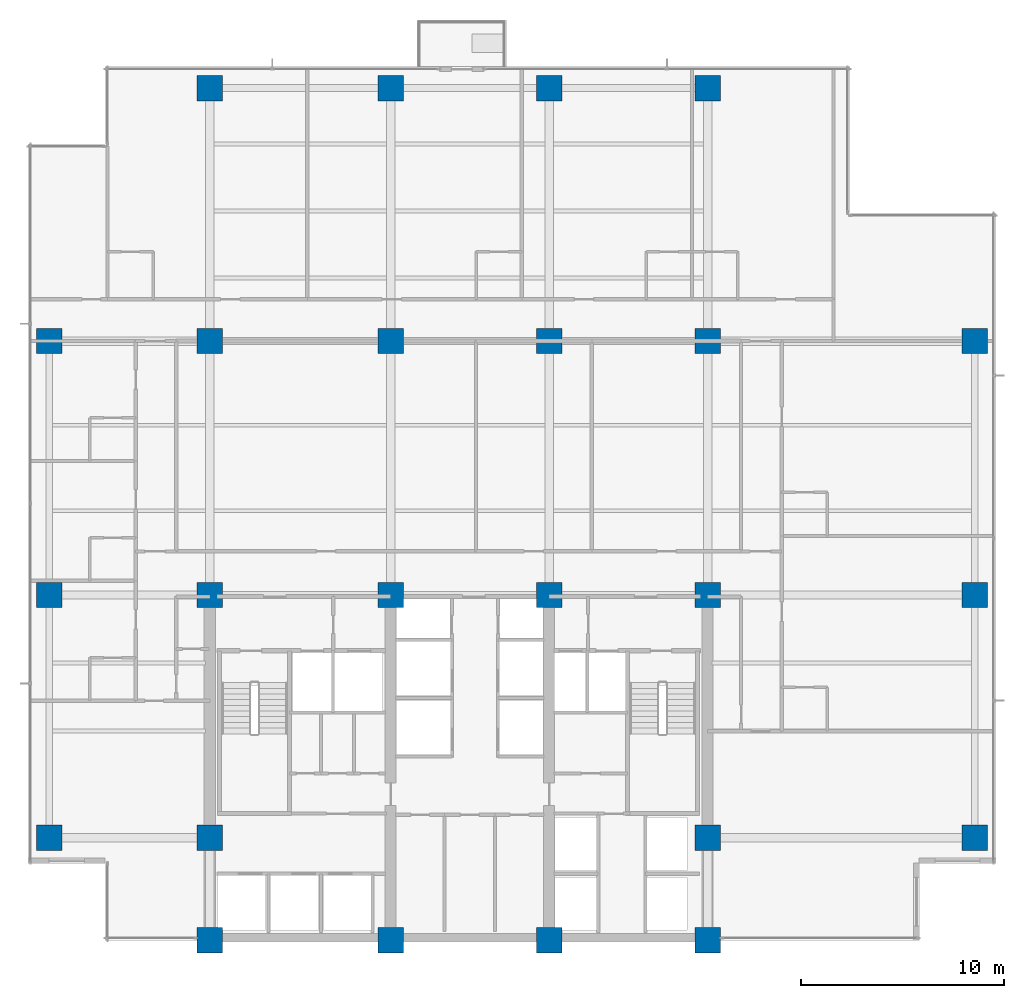
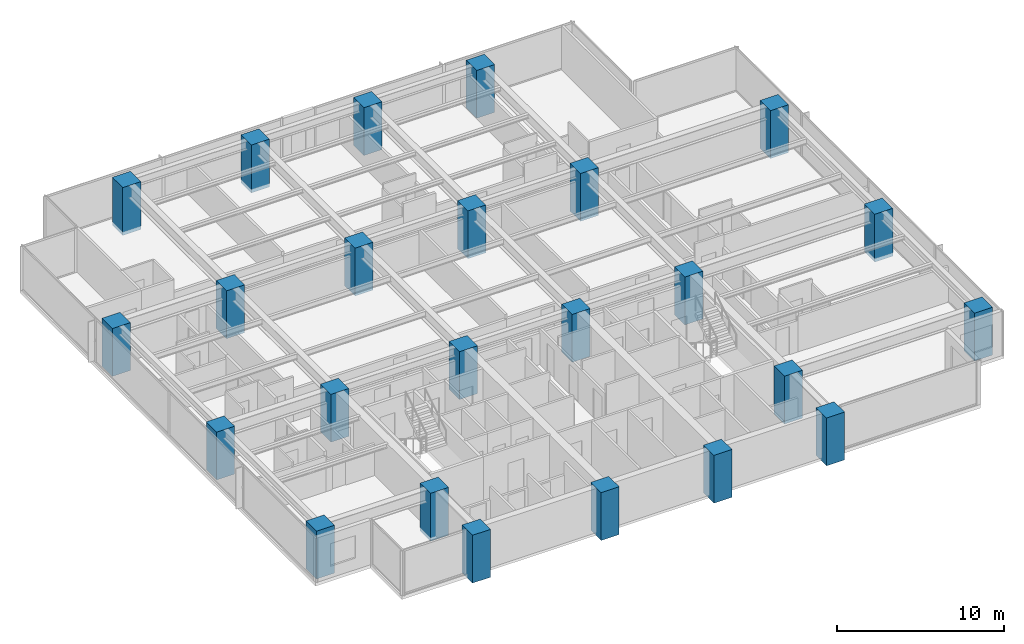
# One storey, part 1 of 17: 24 columns.
"""IFC4 building model written with IfcOpenShell, lengths in metres."""

from ifc_helpers import new_model, si_unit, direction, frame, origin, origin_2d, place, context, subcontext, project, spatial, rectangle, extrude, material, material_profile, profile_set, type_object, element, save


model = new_model("IFC4")

# Units and contexts
model_context = context("Model", 3, precision=1e-05, world=origin(), true_north=direction((0.0, 1.0)))
body_context = subcontext(model_context, "Body", "Model", "MODEL_VIEW")
ifc_project = project(units=[si_unit("LENGTHUNIT", "METRE"), si_unit("AREAUNIT", "SQUARE_METRE"), si_unit("VOLUMEUNIT", "CUBIC_METRE"), si_unit("PLANEANGLEUNIT", "RADIAN"), si_unit("MASSUNIT", "GRAM", prefix="KILO")], contexts=[model_context])

# Site, building, storey
site_placement = place(None, origin())
site = spatial("IfcSite", under=ifc_project, at=site_placement, CompositionType="ELEMENT")
building_placement = place(site_placement, origin())
building = spatial("IfcBuilding", under=site, at=building_placement, Name="Qalmaran Belvedere Hotel", CompositionType="ELEMENT")
storey_placement = place(building_placement, frame((0.0, 0.0, 98.699951171875)))
storey = spatial("IfcBuildingStorey", under=building, at=storey_placement, Name="L24", CompositionType="ELEMENT", Elevation=98.699951171875)

# Columns
ifc_material = material(Name="Concrete C60/75", Category="concrete")
ifc_material_profile = material_profile(ifc_material, rectangle(XDim=1.25, YDim=1.25, at=origin_2d()), Name="CC1250X1250")
ifc_profile_set = profile_set([ifc_material_profile], Name="Concrete C60/75")
column_type = type_object("IfcColumnType", Name="COL-Z2-CC1250", PredefinedType="COLUMN", material=ifc_profile_set)
for number, where, z_axis, x_axis, name in (
    (1, (20.300048828125, 3.5, -0.260009765625), (0.0, 0.0, 1.0), (1.0, 0.0, 0.0), "L24 Column C4B"),
    (2, (29.199951171875, 3.5, -0.260009765625), (0.0, 0.0, 1.0), (1.0, 0.0, 0.0), "L24 Column C5B"),
    (3, (37.0, 3.5, -0.260009765625), (0.0, 0.0, 1.0), (1.0, 0.0, 0.0), "L24 Column C6B"),
    (4, (44.800048828125, 3.5, -0.260009765625), (0.0, 0.0, 1.0), (1.0, 0.0, 0.0), "L24 Column C7B"),
    (5, (20.300048828125, 8.550048828125, -0.260009765625), (0.0, 0.0, 1.0), (1.0, 0.0, 0.0), "L24 Column C4C"),
    (6, (44.800048828125, 8.550048828125, -0.260009765625), (0.0, 0.0, 1.0), (1.0, 0.0, 0.0), "L24 Column C7C"),
    (7, (20.300048828125, 20.5, -0.260009765625), (0.0, 0.0, 1.0), (1.0, 0.0, 0.0), "L24 Column C4D"),
    (8, (29.199951171875, 20.5, -0.260009765625), (0.0, 0.0, 1.0), (1.0, 0.0, 0.0), "L24 Column C5D"),
    (9, (37.0, 20.5, -0.260009765625), (0.0, 0.0, 1.0), (1.0, 0.0, 0.0), "L24 Column C6D"),
    (10, (44.800048828125, 20.5, -0.260009765625), (0.0, 0.0, 1.0), (1.0, 0.0, 0.0), "L24 Column C7D"),
    (11, (20.300048828125, 33.0, -0.260009765625), (0.0, 0.0, 1.0), (1.0, 0.0, 0.0), "L24 Column C4F"),
    (12, (29.199951171875, 33.0, -0.260009765625), (0.0, 0.0, 1.0), (1.0, 0.0, 0.0), "L24 Column C5F"),
    (13, (37.0, 33.0, -0.260009765625), (0.0, 0.0, 1.0), (1.0, 0.0, 0.0), "L24 Column C6F"),
    (14, (44.800048828125, 33.0, -0.260009765625), (0.0, 0.0, 1.0), (1.0, 0.0, 0.0), "L24 Column C7F"),
    (15, (12.39990234375, 8.550048828125, -0.260009765625), (0.0, 0.0, 1.0), (1.0, 0.0, 0.0), "L24 Column CW1"),
    (16, (12.39990234375, 20.5, -0.260009765625), (0.0, 0.0, 1.0), (1.0, 0.0, 0.0), "L24 Column CW3"),
    (17, (12.39990234375, 33.0, -0.260009765625), (0.0, 0.0, 1.0), (1.0, 0.0, 0.0), "L24 Column CW4"),
    (18, (57.949951171875, 8.550048828125, -0.260009765625), (0.0, 0.0, 1.0), (1.0, 0.0, 0.0), "L24 Column CE1"),
    (19, (57.949951171875, 20.5, -0.260009765625), (0.0, 0.0, 1.0), (1.0, 0.0, 0.0), "L24 Column CE3"),
    (20, (57.949951171875, 33.0, -0.260009765625), (0.0, 0.0, 1.0), (1.0, 0.0, 0.0), "L24 Column CE4"),
    (21, (20.300048828125, 45.449951171875, -0.260009765625), (0.0, 0.0, 1.0), (1.0, 0.0, 0.0), "L24 Column CN1"),
    (22, (29.199951171875, 45.449951171875, -0.260009765625), (0.0, 0.0, 1.0), (1.0, 0.0, 0.0), "L24 Column CN2"),
    (23, (37.0, 45.449951171875, -0.260009765625), (0.0, 0.0, 1.0), (1.0, 0.0, 0.0), "L24 Column CN3"),
    (24, (44.800048828125, 45.449951171875, -0.260009765625), (0.0, 0.0, 1.0), (1.0, 0.0, 0.0), "L24 Column CN4"),
):
    element("IfcColumn", number, at=place(storey_placement, frame(where, z_axis=z_axis, x_axis=x_axis)), inside=storey, type_object=column_type, Name=name, PredefinedType="COLUMN", context=body_context, shape_type="SweptSolid", body=[
        extrude(rectangle(XDim=1.25, YDim=1.25, at=origin_2d()), origin(), (0.0, 0.0, 1.0), 3.5),
    ])

save(model, "model.ifc")
